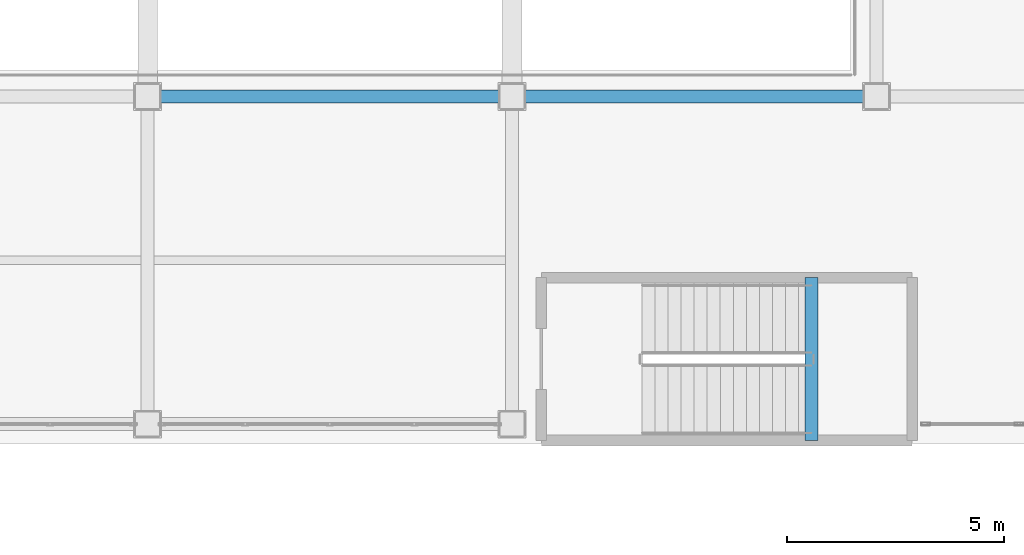
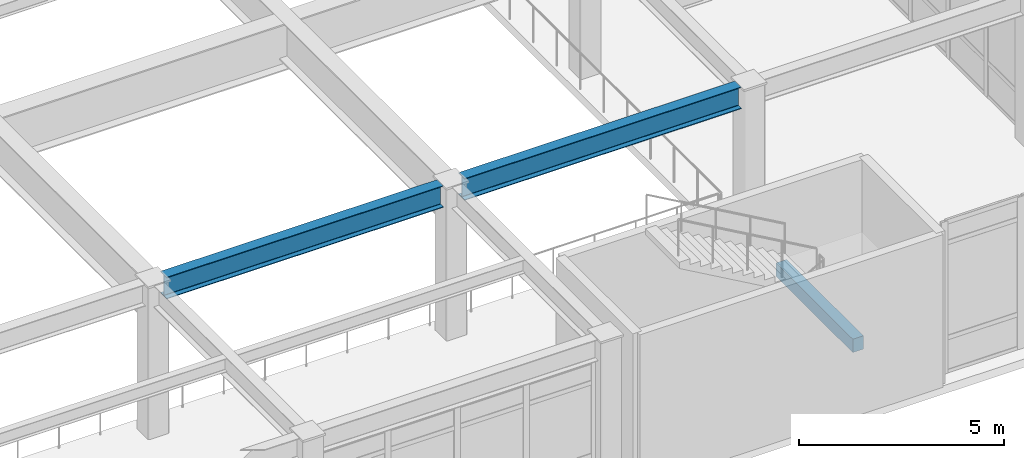
# One storey, part 14 of 172: 3 beams.
"""IFC4 building model written with IfcOpenShell, lengths in metres."""

from ifc_helpers import new_model, si_unit, direction, frame, origin, origin_2d, place, context, subcontext, project, spatial, rectangle, i_section, extrude, material, material_profile, profile_set, type_object, element, save


model = new_model("IFC4")

# Units and contexts
model_context = context("Model", 3, precision=1e-05, world=origin(), true_north=direction((0.0, 1.0)))
body_context = subcontext(model_context, "Body", "Model", "MODEL_VIEW")
ifc_project = project(units=[si_unit("LENGTHUNIT", "METRE"), si_unit("AREAUNIT", "SQUARE_METRE"), si_unit("VOLUMEUNIT", "CUBIC_METRE"), si_unit("PLANEANGLEUNIT", "RADIAN"), si_unit("MASSUNIT", "GRAM", prefix="KILO")], contexts=[model_context])

# Site, building, storey
site_placement = place(None, origin())
site = spatial("IfcSite", under=ifc_project, at=site_placement, CompositionType="ELEMENT")
building_placement = place(site_placement, origin())
building = spatial("IfcBuilding", under=site, at=building_placement, Name="Kazehara Bluff Congress Hotel", CompositionType="ELEMENT")
storey_placement = place(building_placement, frame((0.0, 0.0, 5.39990234375)))
storey = spatial("IfcBuildingStorey", under=building, at=storey_placement, Name="L01", CompositionType="ELEMENT", Elevation=5.39990234375)

# Beams
ifc_material_1 = material(Name="Steel SN490B", Category="steel")
ifc_material_profile_1 = material_profile(ifc_material_1, i_section(OverallWidth=0.300048828125, OverallDepth=0.64990234375, WebThickness=0.011962890625, FlangeThickness=0.02001953125, FilletRadius=0.012939453125, at=origin_2d()))
ifc_profile_set_1 = profile_set([ifc_material_profile_1], Name="Steel SN490B")
beam_type_1 = type_object("IfcBeamType", Name="TP-G-03", PredefinedType="BEAM", material=ifc_profile_set_1)
for number, where, z_axis, x_axis, name in (
    (1, (33.89990234375, 8.0, 4.22509765625), (1.0, 0.0, 0.0), (0.0, 1.0, 0.0), "L01 girder G-03 77"),
    (2, (42.300048828125, 8.0, 4.22509765625), (1.0, 0.0, 0.0), (0.0, 1.0, 0.0), "L01 girder G-03 78"),
):
    element("IfcBeam", number, at=place(storey_placement, frame(where, z_axis=z_axis, x_axis=x_axis)), inside=storey, type_object=beam_type_1, Name=name, PredefinedType="BEAM", context=body_context, shape_type="SweptSolid", body=[
        extrude(i_section(OverallWidth=0.300048828125, OverallDepth=0.64990234375, WebThickness=0.011962890625, FlangeThickness=0.02001953125, FilletRadius=0.012939453125, at=origin_2d()), origin(), (0.0, 0.0, 1.0), 7.800048828125),
    ])
ifc_material_2 = material(Name="Concrete C40/50", Category="concrete")
ifc_material_profile_2 = material_profile(ifc_material_2, rectangle(XDim=0.300048828125, YDim=0.39990234375, at=origin_2d()))
ifc_profile_set_2 = profile_set([ifc_material_profile_2], Name="Concrete C40/50")
beam_type_2 = type_object("IfcBeamType", Name="TP-LN-02", PredefinedType="LINTEL", material=ifc_profile_set_2)
beam_placement = place(storey_placement, frame((48.89990234375, 0.074951171875, 2.02001953125), z_axis=(0.0, 1.0, 0.0), x_axis=(-1.0, 0.0, 0.0)))
element("IfcBeam", 3, at=beam_placement, inside=storey, type_object=beam_type_2, Name="L01 ST-05 half-landing support beam 1", PredefinedType="LINTEL", context=body_context, shape_type="SweptSolid", body=[
    extrude(rectangle(XDim=0.300048828125, YDim=0.39990234375, at=origin_2d()), origin(), (0.0, 0.0, 1.0), 3.75),
])

save(model, "model.ifc")
